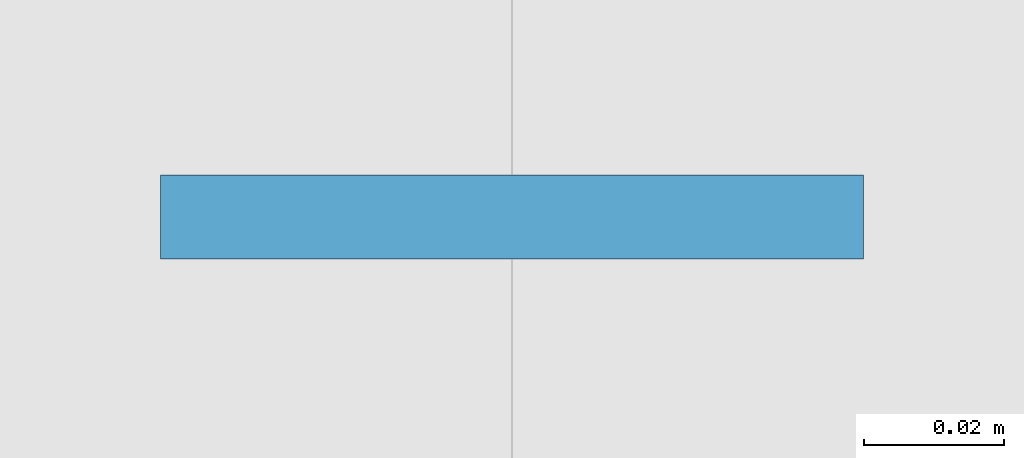
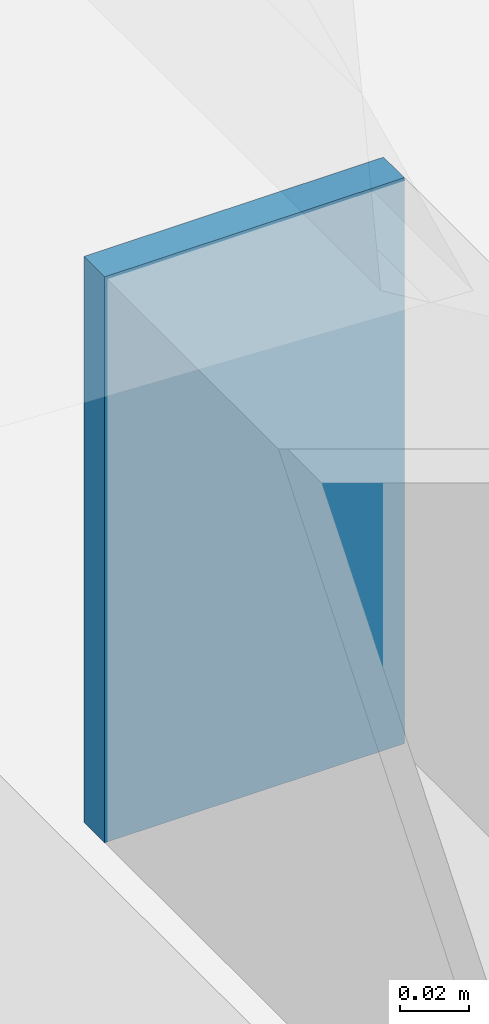
# One storey, part 19 of 27: 1 plate.
"""IFC4 building model written with IfcOpenShell, lengths in metres."""

from ifc_helpers import new_model, si_unit, direction, frame, origin, origin_2d, place, context, subcontext, project, spatial, rectangle, extrude, material, layer, layer_set, type_object, element, save


model = new_model("IFC4")

# Units and contexts
model_context = context("Model", 3, precision=1e-05, world=origin(), true_north=direction((0.0, 1.0)))
body_context = subcontext(model_context, "Body", "Model", "MODEL_VIEW")
ifc_project = project(units=[si_unit("LENGTHUNIT", "METRE"), si_unit("AREAUNIT", "SQUARE_METRE"), si_unit("VOLUMEUNIT", "CUBIC_METRE"), si_unit("PLANEANGLEUNIT", "RADIAN"), si_unit("MASSUNIT", "GRAM", prefix="KILO")], contexts=[model_context])

# Site, building, storey
site_placement = place(None, origin())
site = spatial("IfcSite", under=ifc_project, at=site_placement, CompositionType="ELEMENT")
building_placement = place(site_placement, origin())
building = spatial("IfcBuilding", under=site, at=building_placement, Name="Vellmiral Cinema and Media Centre", CompositionType="ELEMENT")
storey_placement = place(building_placement, frame((0.0, 0.0, 19.800048828125)))
storey = spatial("IfcBuildingStorey", under=building, at=storey_placement, Name="L04", CompositionType="ELEMENT", Elevation=19.800048828125)

# Plate
ifc_material = material(Name="Steel S355", Category="steel")
ifc_layer = layer(ifc_material, 0.011962890625, Name="Steel S355")
ifc_layer_set = layer_set([ifc_layer], Name="Steel S355")
plate_type = type_object("IfcPlateType", Name="PLT-CAP-200", PredefinedType="SHEET", material=ifc_layer_set)
plate_placement = place(storey_placement, frame((90.39990234375, 86.20556640625, 6.7568359375), z_axis=(0.0, 0.0, 1.0), x_axis=(1.0, 0.0, 0.0)))
element("IfcPlate", 1, at=plate_placement, inside=storey, type_object=plate_type, Name="Roof Purlin VR-09.3.2 End Cap Plate", PredefinedType="SHEET", context=body_context, shape_type="SweptSolid", body=[
    extrude(rectangle(XDim=0.10009765625, YDim=0.011962890625, at=origin_2d()), origin(), (0.0, 0.0, 1.0), 0.199951171875),
])

save(model, "model.ifc")
